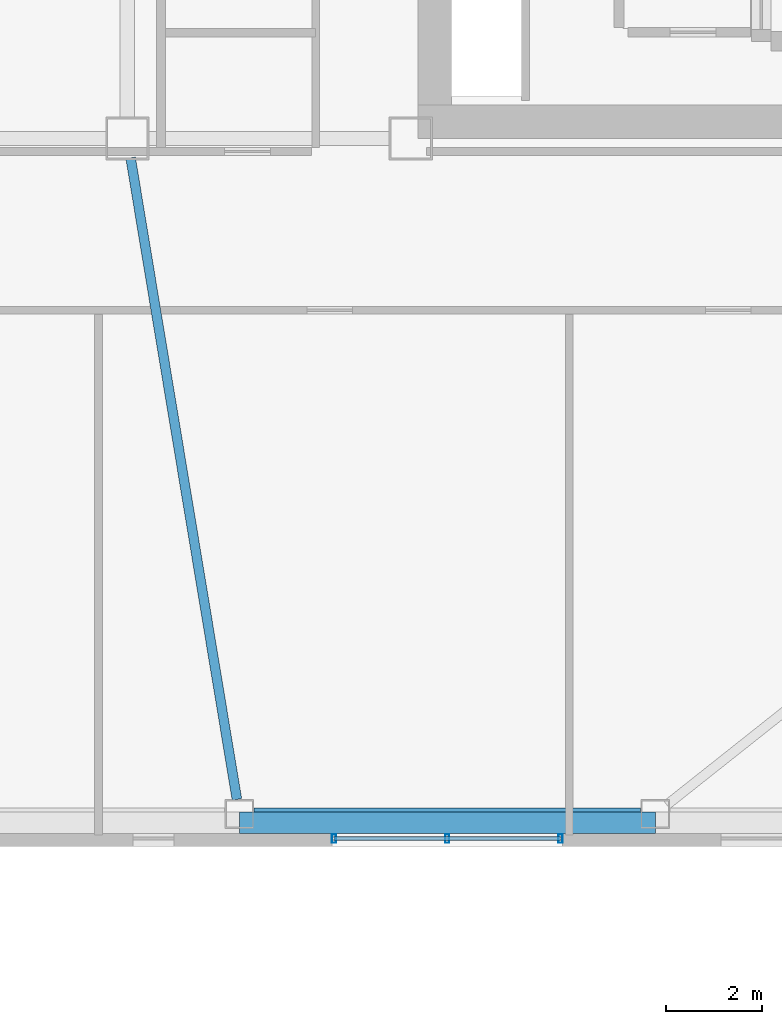
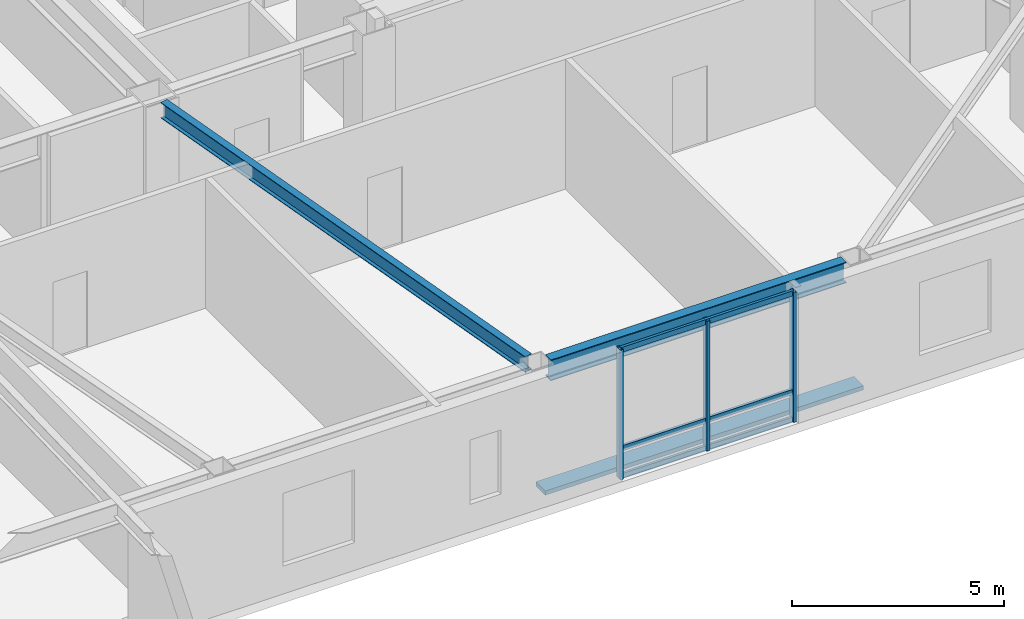
# One storey, part 3 of 16: 7 members, 2 beams, 1 element without a shape of its own.
"""IFC4 building model written with IfcOpenShell, lengths in metres."""

import ifcopenshell
import ifcopenshell.guid

model = None  # the IFC model being written
_history = None  # IfcOwnerHistory: only IFC2X3 demands one
_inside = {}  # id of a spatial element -> (the spatial element, [elements in it])
_under = {}  # id of a project, library or spatial element -> (it, [spatial elements below it])
_declared = {}  # id of a project -> (the project, [libraries it declares])
_typed = {}  # id of a type object -> (the type object, [elements of that type])
_made_of = {}  # id of a material, layer set ... -> (it, [elements and type objects made of it])


def new_model(schema):
    """Start an empty IFC model of exactly this schema.

    Asked for "IFC4X3", IfcOpenShell would pick the latest addendum, in which some entities
    have other attributes; the version numbers below select the first issue.
    IFC2X3 requires an IfcOwnerHistory on every rooted entity: one is made here for all.
    """
    global model, _history
    if schema == "IFC4X3":
        model = ifcopenshell.file(schema_version=(4, 3, 0, 0))
    else:
        model = ifcopenshell.file(schema=schema)
    _inside.clear()
    _under.clear()
    _declared.clear()
    _typed.clear()
    _made_of.clear()
    _history = None
    if model.schema == "IFC2X3":
        org = make("IfcOrganization", Name="unknown")
        user = make(
            "IfcPersonAndOrganization",
            ThePerson=make("IfcPerson", FamilyName="unknown"),
            TheOrganization=org,
        )
        app = make(
            "IfcApplication",
            ApplicationDeveloper=org,
            Version="unknown",
            ApplicationFullName="unknown",
            ApplicationIdentifier="unknown",
        )
        _history = make(
            "IfcOwnerHistory",
            OwningUser=user,
            OwningApplication=app,
            ChangeAction="ADDED",
            CreationDate=0,
        )
    return model


def make(cls, **values):
    """One entity of the class cls with the attributes given. An attribute that is None is left unset."""
    return model.create_entity(
        cls, **{name: value for name, value in values.items() if value is not None}
    )


def rooted(cls, **values):
    """An entity with a GlobalId (a new one), such as an element, a storey or a relation."""
    return make(cls, GlobalId=ifcopenshell.guid.new(), OwnerHistory=_history, **values)


def si_unit(unit_type, name, prefix=None):
    """IfcSIUnit, for example si_unit("LENGTHUNIT", "METRE", prefix="MILLI")."""
    return make("IfcSIUnit", UnitType=unit_type, Prefix=prefix, Name=name)


def assignment(units):
    """IfcUnitAssignment: the units of a project."""
    return None if units is None else make("IfcUnitAssignment", Units=units)


def point(xyz):
    """IfcCartesianPoint."""
    return None if xyz is None else make("IfcCartesianPoint", Coordinates=xyz)


def direction(xyz):
    """IfcDirection."""
    return None if xyz is None else make("IfcDirection", DirectionRatios=xyz)


def frame(location, z_axis=None, x_axis=None):
    """IfcAxis2Placement3D, a coordinate frame: its origin and axes. An axis left out is left unset."""
    return make(
        "IfcAxis2Placement3D",
        Location=point(location),
        Axis=direction(z_axis),
        RefDirection=direction(x_axis),
    )


def frame_2d(location, x_axis=None):
    """IfcAxis2Placement2D, a coordinate frame in the plane: its origin and x axis."""
    return make(
        "IfcAxis2Placement2D", Location=point(location), RefDirection=direction(x_axis)
    )


def origin():
    """The frame at (0, 0, 0) with its axes left unset."""
    return frame((0.0, 0.0, 0.0))


def origin_2d():
    """The frame at (0, 0) in the plane with its x axis left unset."""
    return frame_2d((0.0, 0.0))


def place(relative_to, where):
    """IfcLocalPlacement: puts the frame where relative to a parent placement (None: the world)."""
    return make(
        "IfcLocalPlacement", PlacementRelTo=relative_to, RelativePlacement=where
    )


def context(
    kind, dimensions, precision=None, world=None, true_north=None, identifier=None
):
    """IfcGeometricRepresentationContext, for example the 3D "Model" context."""
    return make(
        "IfcGeometricRepresentationContext",
        ContextIdentifier=identifier,
        ContextType=kind,
        CoordinateSpaceDimension=dimensions,
        Precision=precision,
        WorldCoordinateSystem=world,
        TrueNorth=true_north,
    )


def subcontext(parent, identifier, kind, view, scale=None):
    """IfcGeometricRepresentationSubContext, for example "Body" below "Model"."""
    return make(
        "IfcGeometricRepresentationSubContext",
        ContextIdentifier=identifier,
        ContextType=kind,
        ParentContext=parent,
        TargetScale=scale,
        TargetView=view,
    )


def project(units=None, contexts=None):
    """IfcProject with its units and contexts."""
    return rooted(
        "IfcProject",
        Name="project",
        RepresentationContexts=contexts,
        UnitsInContext=assignment(units),
    )


def spatial(cls, under=None, at=None, **own):
    """A site, building, storey or space (cls), placed at a placement, below another one or the project."""
    s = rooted(cls, ObjectPlacement=at, **own)
    if under is not None:
        _under.setdefault(under.id(), (under, []))[1].append(s)
    return s


def profile(cls, at=None, kind="AREA", **sizes):
    """A parametric profile (cls). Its sizes go by their IFC names, for example OverallWidth=200.0."""
    return make(cls, ProfileType=kind, Position=at, **sizes)


def rectangle(**sizes):
    """IfcRectangleProfileDef."""
    return profile("IfcRectangleProfileDef", **sizes)


def hollow_rectangle(**sizes):
    """IfcRectangleHollowProfileDef."""
    return profile("IfcRectangleHollowProfileDef", **sizes)


def i_section(**sizes):
    """IfcIShapeProfileDef."""
    return profile("IfcIShapeProfileDef", **sizes)


def extrude(swept, where, along, depth):
    """IfcExtrudedAreaSolid: the profile swept, set in the frame where, extruded along a direction by depth."""
    return make(
        "IfcExtrudedAreaSolid",
        SweptArea=swept,
        Position=where,
        ExtrudedDirection=direction(along),
        Depth=depth,
    )


def shape(context_of_items, identifier, shape_type, items):
    """IfcShapeRepresentation: the items that make up one representation, for example the "Body"."""
    return make(
        "IfcShapeRepresentation",
        ContextOfItems=context_of_items,
        RepresentationIdentifier=identifier,
        RepresentationType=shape_type,
        Items=items,
    )


def material(Name=None, Category=None):
    """IfcMaterial."""
    return make("IfcMaterial", Name=Name, Category=Category)


def layer(
    of_material, thickness, ventilated=None, Name=None, Category=None, Priority=None
):
    """IfcMaterialLayer: one layer of a wall or slab, of a material (None: an air gap)."""
    return make(
        "IfcMaterialLayer",
        Material=of_material,
        LayerThickness=thickness,
        IsVentilated=ventilated,
        Name=Name,
        Category=Category,
        Priority=Priority,
    )


def layer_set(layers, Name=None):
    """IfcMaterialLayerSet."""
    return make("IfcMaterialLayerSet", MaterialLayers=layers, LayerSetName=Name)


def material_profile(
    of_material, cross_section, Name=None, Category=None, Priority=None
):
    """IfcMaterialProfile: a cross section and its material."""
    return make(
        "IfcMaterialProfile",
        Name=Name,
        Material=of_material,
        Profile=cross_section,
        Priority=Priority,
        Category=Category,
    )


def profile_set(profiles, Name=None, composite=None):
    """IfcMaterialProfileSet."""
    return make(
        "IfcMaterialProfileSet",
        Name=Name,
        MaterialProfiles=profiles,
        CompositeProfile=composite,
    )


def made_of(thing, what):
    """Note that an element or type object is made of a material, layer set ...; save() writes the relation."""
    if what is not None:
        _made_of.setdefault(what.id(), (what, []))[1].append(thing)
    return thing


def type_object(cls, material=None, **own):
    """A type object (cls), such as IfcWallType, which elements share."""
    return made_of(rooted(cls, **own), material)


def element(
    cls,
    number,
    at=None,
    inside=None,
    cuts=None,
    type_object=None,
    material=None,
    context=None,
    identifier="Body",
    shape_type=None,
    held_by="IfcProductDefinitionShape",
    body=None,
    shapes=None,
    **own,
):
    """One element of the class cls, such as IfcWall. Its Tag is "e" and its number.

    at: its placement. inside: the storey or other place that contains it. cuts: it is an
    opening in that element (IfcRelVoidsElement). A single representation is given by context,
    identifier, shape_type and body (its items); several are given by shapes. held_by: the class
    of the entity that holds the representations. save() writes the other relations.
    """
    e = rooted(cls, Tag="e%d" % number, ObjectPlacement=at, **own)
    if body is not None:
        shapes = [shape(context, identifier, shape_type, body)]
    if shapes is not None:
        e.Representation = make(held_by, Representations=shapes)
    if inside is not None:
        _inside.setdefault(inside.id(), (inside, []))[1].append(e)
    if cuts is not None:
        rooted(
            "IfcRelVoidsElement", RelatingBuildingElement=cuts, RelatedOpeningElement=e
        )
    if type_object is not None:
        _typed.setdefault(type_object.id(), (type_object, []))[1].append(e)
    return made_of(e, material)


def aggregate(whole, parts):
    """IfcRelAggregates: a whole, such as a stair, and the parts it consists of."""
    return rooted("IfcRelAggregates", RelatingObject=whole, RelatedObjects=parts)


def save(model, path):
    """Write the relations noted so far, then the file.

    IfcRelAggregates (storeys below a building ...), IfcRelContainedInSpatialStructure (elements
    in a storey), IfcRelDefinesByType, IfcRelAssociatesMaterial and IfcRelDeclares: one each for
    every whole, place, type object, material and project.
    """
    for whole, parts in _under.values():
        aggregate(whole, parts)
    for where, things in _inside.values():
        rooted(
            "IfcRelContainedInSpatialStructure",
            RelatedElements=things,
            RelatingStructure=where,
        )
    for kind, things in _typed.values():
        rooted("IfcRelDefinesByType", RelatedObjects=things, RelatingType=kind)
    for what, things in _made_of.values():
        rooted("IfcRelAssociatesMaterial", RelatedObjects=things, RelatingMaterial=what)
    for by, libraries in _declared.values():
        rooted("IfcRelDeclares", RelatingContext=by, RelatedDefinitions=libraries)
    model.write(path)


model = new_model("IFC4")

# Units and contexts
model_context = context("Model", 3, precision=1e-05, world=origin(), true_north=direction((0.0, 1.0)))
body_context = subcontext(model_context, "Body", "Model", "MODEL_VIEW")
ifc_project = project(units=[si_unit("LENGTHUNIT", "METRE"), si_unit("AREAUNIT", "SQUARE_METRE"), si_unit("VOLUMEUNIT", "CUBIC_METRE"), si_unit("PLANEANGLEUNIT", "RADIAN"), si_unit("MASSUNIT", "GRAM", prefix="KILO")], contexts=[model_context])

# Site, building, storey
site_placement = place(None, origin())
site = spatial("IfcSite", under=ifc_project, at=site_placement, CompositionType="ELEMENT")
building_placement = place(site_placement, origin())
building = spatial("IfcBuilding", under=site, at=building_placement, Name="Tavrogorsk Clinical Tower", CompositionType="ELEMENT")
storey_placement = place(building_placement, frame((0.0, 0.0, 164.199951171875)))
storey = spatial("IfcBuildingStorey", under=building, at=storey_placement, Name="L37", CompositionType="ELEMENT", Elevation=164.199951171875)

# Member
ifc_material_1 = material(Name="Anodised aluminium alloy AW-6063", Category="aluminium")
ifc_material_profile_1 = material_profile(ifc_material_1, rectangle(XDim=0.449951171875, YDim=0.1201171875, at=origin_2d()), Name="ALU-SUNSHADE-450x120")
ifc_profile_set_1 = profile_set([ifc_material_profile_1], Name="Anodised aluminium alloy AW-6063")
member_type_1 = type_object("IfcMemberType", Name="ChicagoSunshade_450x120", PredefinedType="USERDEFINED", material=ifc_profile_set_1)
member_1_placement = place(storey_placement, frame((6.7314453125, -20.60009765625, 0.179931640625), z_axis=(1.0, 0.0, 0.0), x_axis=(0.0, 1.0, 0.0)))
element("IfcMember", 1, at=member_1_placement, inside=storey, type_object=member_type_1, Name="L37 South Aluminium Sunshade S5", ObjectType="SUNSHADE", PredefinedType="USERDEFINED", context=body_context, shape_type="SweptSolid", body=[
    extrude(rectangle(XDim=0.449951171875, YDim=0.1201171875, at=origin_2d()), origin(), (0.0, 0.0, 1.0), 8.662841796875),
])

# Curtain wall, members
ifc_material_2 = material(Name="Anodised aluminium and triple IGU glazing", Category="aluminium")
ifc_layer = layer(ifc_material_2, 0.179931640625)
ifc_layer_set = layer_set([ifc_layer], Name="Anodised aluminium and triple IGU glazing")
curtain_wall_type = type_object("IfcCurtainWallType", Name="CW3_SouthSlot", PredefinedType="NOTDEFINED", material=ifc_layer_set)
curtain_wall_placement = place(storey_placement, origin())
curtain_wall = element("IfcCurtainWall", 2, at=curtain_wall_placement, inside=storey, type_object=curtain_wall_type, Name="L37 Curtain Wall CW-L37-S-SLOT-2", PredefinedType="NOTDEFINED")
ifc_material_3 = material(Name="Anodised aluminium alloy AW-6060", Category="aluminium")
ifc_material_profile_2 = material_profile(ifc_material_3, hollow_rectangle(XDim=0.090087890625, YDim=0.179931640625, WallThickness=0.00634765625, at=origin_2d()), Name="RHS-180x90x6.3")
ifc_profile_set_2 = profile_set([ifc_material_profile_2], Name="Anodised aluminium alloy AW-6060")
member_type_2 = type_object("IfcMemberType", Name="CwMullion_180x90", PredefinedType="MULLION", material=ifc_profile_set_2)
member_2_placement = place(storey_placement, frame((8.703857421875, -20.929931640625, 0.0), z_axis=(0.0, 0.0, 1.0), x_axis=(1.0, 0.0, 0.0)))
member_2 = element("IfcMember", 3, at=member_2_placement, type_object=member_type_2, Name="CW-L37-S-SLOT-2 Mullion 1", PredefinedType="MULLION", context=body_context, shape_type="SweptSolid", body=[
    extrude(hollow_rectangle(XDim=0.090087890625, YDim=0.179931640625, WallThickness=0.00634765625, at=origin_2d()), origin(), (0.0, 0.0, 1.0), 3.739990234375),
])
member_3_placement = place(storey_placement, frame((11.062744140625, -20.929931640625, 0.0), z_axis=(0.0, 0.0, 1.0), x_axis=(1.0, 0.0, 0.0)))
member_3 = element("IfcMember", 4, at=member_3_placement, type_object=member_type_2, Name="CW-L37-S-SLOT-2 Mullion 2", PredefinedType="MULLION", context=body_context, shape_type="SweptSolid", body=[
    extrude(hollow_rectangle(XDim=0.090087890625, YDim=0.179931640625, WallThickness=0.00634765625, at=origin_2d()), origin(), (0.0, 0.0, 1.0), 3.739990234375),
])
member_4_placement = place(storey_placement, frame((13.421875, -20.929931640625, 0.0), z_axis=(0.0, 0.0, 1.0), x_axis=(1.0, 0.0, 0.0)))
member_4 = element("IfcMember", 5, at=member_4_placement, type_object=member_type_2, Name="CW-L37-S-SLOT-2 Mullion 3", PredefinedType="MULLION", context=body_context, shape_type="SweptSolid", body=[
    extrude(hollow_rectangle(XDim=0.090087890625, YDim=0.179931640625, WallThickness=0.00634765625, at=origin_2d()), origin(), (0.0, 0.0, 1.0), 3.739990234375),
])
ifc_material_4 = material(Name="Anodised aluminium alloy AW-6060", Category="aluminium")
ifc_material_profile_3 = material_profile(ifc_material_4, hollow_rectangle(XDim=0.074951171875, YDim=0.14990234375, WallThickness=0.0048828125, at=origin_2d()), Name="RHS-150x75x5")
ifc_profile_set_3 = profile_set([ifc_material_profile_3], Name="Anodised aluminium alloy AW-6060")
member_type_3 = type_object("IfcMemberType", Name="CwTransom_150x75", PredefinedType="USERDEFINED", material=ifc_profile_set_3)
member_5_placement = place(storey_placement, frame((8.703857421875, -20.929931640625, 0.050048828125), z_axis=(1.0, 0.0, 0.0), x_axis=(0.0, 1.0, 0.0)))
member_5 = element("IfcMember", 6, at=member_5_placement, type_object=member_type_3, Name="CW-L37-S-SLOT-2 Transom 1", ObjectType="TRANSOM", PredefinedType="USERDEFINED", context=body_context, shape_type="SweptSolid", body=[
    extrude(hollow_rectangle(XDim=0.074951171875, YDim=0.14990234375, WallThickness=0.0048828125, at=origin_2d()), origin(), (0.0, 0.0, 1.0), 4.718017578125),
])
member_6_placement = place(storey_placement, frame((8.703857421875, -20.929931640625, 0.85009765625), z_axis=(1.0, 0.0, 0.0), x_axis=(0.0, 1.0, 0.0)))
member_6 = element("IfcMember", 7, at=member_6_placement, type_object=member_type_3, Name="CW-L37-S-SLOT-2 Transom 2", ObjectType="TRANSOM", PredefinedType="USERDEFINED", context=body_context, shape_type="SweptSolid", body=[
    extrude(hollow_rectangle(XDim=0.074951171875, YDim=0.14990234375, WallThickness=0.0048828125, at=origin_2d()), origin(), (0.0, 0.0, 1.0), 4.718017578125),
])
member_7_placement = place(storey_placement, frame((8.703857421875, -20.929931640625, 3.68994140625), z_axis=(1.0, 0.0, 0.0), x_axis=(0.0, 1.0, 0.0)))
member_7 = element("IfcMember", 8, at=member_7_placement, type_object=member_type_3, Name="CW-L37-S-SLOT-2 Transom 3", ObjectType="TRANSOM", PredefinedType="USERDEFINED", context=body_context, shape_type="SweptSolid", body=[
    extrude(hollow_rectangle(XDim=0.074951171875, YDim=0.14990234375, WallThickness=0.0048828125, at=origin_2d()), origin(), (0.0, 0.0, 1.0), 4.718017578125),
])
aggregate(curtain_wall, [member_2, member_3, member_4, member_5, member_6, member_7])

# Beams
ifc_material_5 = material(Name="Structural steel S355", Category="steel")
ifc_material_profile_4 = material_profile(ifc_material_5, i_section(OverallWidth=0.199951171875, OverallDepth=0.449951171875, WebThickness=0.011474609375, FlangeThickness=0.01806640625, at=origin_2d()), Name="B-450x200x11.5x18")
ifc_profile_set_4 = profile_set([ifc_material_profile_4], Name="Structural steel S355")
beam_type_1 = type_object("IfcBeamType", Name="FloorBeam_B450", PredefinedType="BEAM", material=ifc_profile_set_4)
beam_1_placement = place(storey_placement, frame((4.467041015625, -6.75439453125, 3.51513671875), z_axis=(0.16347521907, -0.986547440699, 0.0), x_axis=(0.986547440699, 0.16347521907, 0.0)))
element("IfcBeam", 9, at=beam_1_placement, inside=storey, type_object=beam_type_1, Name="L37 Radial Floor Beam S5", PredefinedType="BEAM", context=body_context, shape_type="SweptSolid", body=[
    extrude(i_section(OverallWidth=0.199951171875, OverallDepth=0.449951171875, WebThickness=0.011474609375, FlangeThickness=0.01806640625, at=origin_2d()), origin(), (0.0, 0.0, 1.0), 13.5439453125),
])
ifc_material_6 = material(Name="Structural steel S390", Category="steel")
ifc_material_profile_5 = material_profile(ifc_material_6, i_section(OverallWidth=0.260009765625, OverallDepth=0.60009765625, WebThickness=0.014892578125, FlangeThickness=0.02392578125, at=origin_2d()), Name="B-600x260x15x24")
ifc_profile_set_5 = profile_set([ifc_material_profile_5], Name="Structural steel S390")
beam_type_2 = type_object("IfcBeamType", Name="SpandrelBeam_B600", PredefinedType="SPANDREL", material=ifc_profile_set_5)
beam_2_placement = place(storey_placement, frame((7.039306640625, -20.419921875, 3.43994140625), z_axis=(1.0, 0.0, 0.0), x_axis=(0.0, 1.0, 0.0)))
element("IfcBeam", 10, at=beam_2_placement, inside=storey, type_object=beam_type_2, Name="L37 Perimeter Spandrel S5-S6", PredefinedType="SPANDREL", context=body_context, shape_type="SweptSolid", body=[
    extrude(i_section(OverallWidth=0.260009765625, OverallDepth=0.60009765625, WebThickness=0.014892578125, FlangeThickness=0.02392578125, at=origin_2d()), origin(), (0.0, 0.0, 1.0), 8.046875),
])

save(model, "model.ifc")
